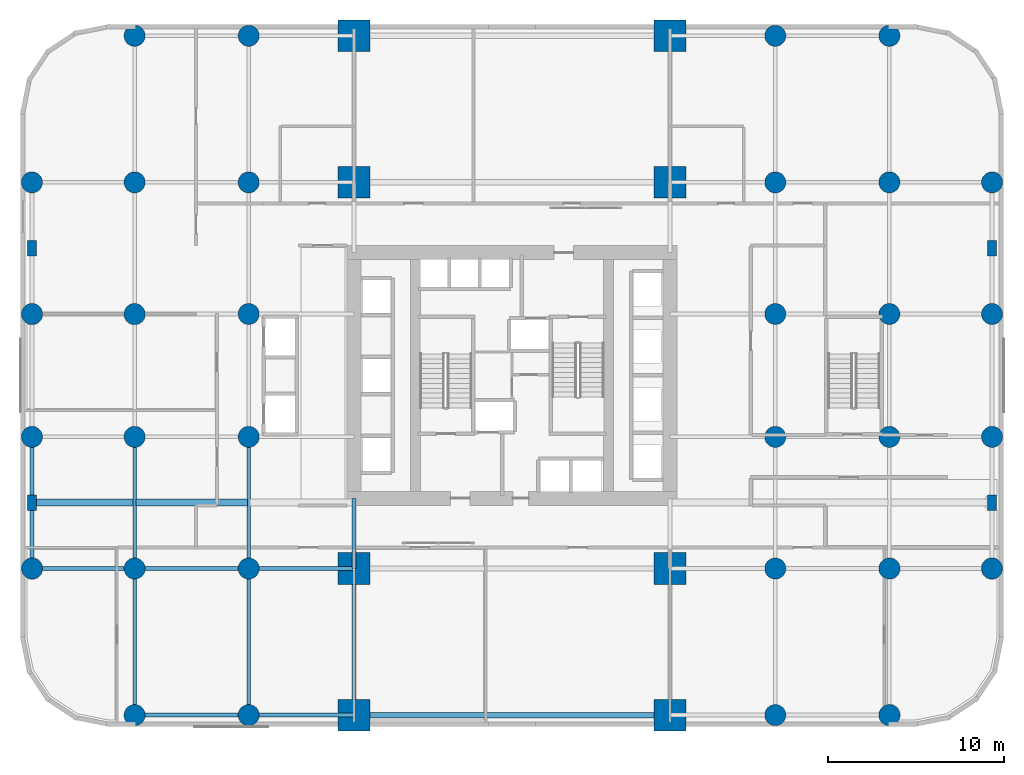
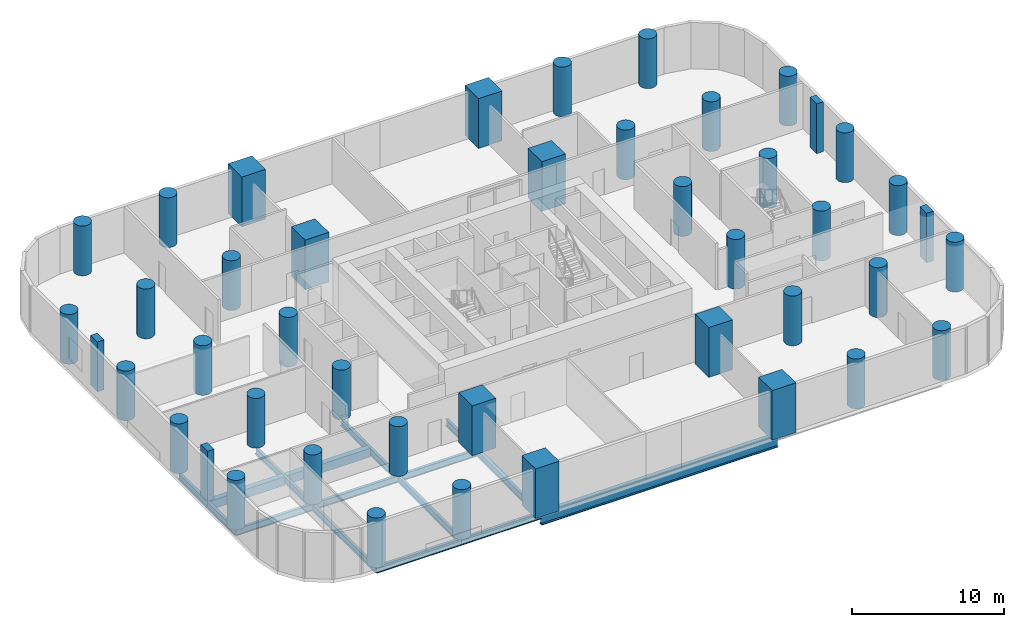
# One storey, part 1 of 12: 44 columns, 16 beams.
"""IFC4 building model written with IfcOpenShell, lengths in metres."""

from ifc_helpers import new_model, si_unit, direction, frame, origin, origin_2d, place, context, subcontext, project, spatial, rectangle, circle, i_section, extrude, material, material_profile, profile_set, type_object, element, save


model = new_model("IFC4")

# Units and contexts
model_context = context("Model", 3, precision=1e-05, world=origin(), true_north=direction((0.0, 1.0)))
body_context = subcontext(model_context, "Body", "Model", "MODEL_VIEW")
ifc_project = project(units=[si_unit("LENGTHUNIT", "METRE"), si_unit("AREAUNIT", "SQUARE_METRE"), si_unit("VOLUMEUNIT", "CUBIC_METRE"), si_unit("PLANEANGLEUNIT", "RADIAN"), si_unit("MASSUNIT", "GRAM", prefix="KILO")], contexts=[model_context])

# Site, building, storey
site_placement = place(None, origin())
site = spatial("IfcSite", under=ifc_project, at=site_placement, CompositionType="ELEMENT")
building_placement = place(site_placement, origin())
building = spatial("IfcBuilding", under=site, at=building_placement, Name="Veldorim Arch Residences", CompositionType="ELEMENT")
storey_placement = place(building_placement, frame((0.0, 0.0, 12.0)))
storey = spatial("IfcBuildingStorey", under=building, at=storey_placement, Name="L03", CompositionType="ELEMENT", Elevation=12.0)

# Columns
ifc_material_1 = material(Name="Concrete C60/75", Category="concrete")
ifc_material_profile_1 = material_profile(ifc_material_1, circle(Radius=0.60009765625, at=origin_2d()), Name="RC_CIRC_1200")
ifc_profile_set_1 = profile_set([ifc_material_profile_1], Name="Concrete C60/75")
column_type_1 = type_object("IfcColumnType", Name="Structural Column RC_CIRC_1200", PredefinedType="COLUMN", material=ifc_profile_set_1)
for number, where, z_axis, x_axis, name in (
    (1, (4.64990234375, 13.0, 0.0), (0.0, 0.0, 1.0), (1.0, 0.0, 0.0), "L03 podium column (4.65, 13.00)"),
    (2, (4.64990234375, 20.5, 0.0), (0.0, 0.0, 1.0), (1.0, 0.0, 0.0), "L03 podium column (4.65, 20.50)"),
    (3, (4.64990234375, 27.5, 0.0), (0.0, 0.0, 1.0), (1.0, 0.0, 0.0), "L03 podium column (4.65, 27.50)"),
    (4, (4.64990234375, 35.0, 0.0), (0.0, 0.0, 1.0), (1.0, 0.0, 0.0), "L03 podium column (4.65, 35.00)"),
    (5, (10.5, 4.64990234375, 0.0), (0.0, 0.0, 1.0), (1.0, 0.0, 0.0), "L03 podium column (10.50, 4.65)"),
    (6, (10.5, 13.0, 0.0), (0.0, 0.0, 1.0), (1.0, 0.0, 0.0), "L03 podium column (10.50, 13.00)"),
    (7, (10.5, 20.5, 0.0), (0.0, 0.0, 1.0), (1.0, 0.0, 0.0), "L03 podium column (10.50, 20.50)"),
    (8, (10.5, 27.5, 0.0), (0.0, 0.0, 1.0), (1.0, 0.0, 0.0), "L03 podium column (10.50, 27.50)"),
    (9, (10.5, 35.0, 0.0), (0.0, 0.0, 1.0), (1.0, 0.0, 0.0), "L03 podium column (10.50, 35.00)"),
    (10, (10.5, 43.35009765625, 0.0), (0.0, 0.0, 1.0), (1.0, 0.0, 0.0), "L03 podium column (10.50, 43.35)"),
    (11, (17.0, 4.64990234375, 0.0), (0.0, 0.0, 1.0), (1.0, 0.0, 0.0), "L03 podium column (17.00, 4.65)"),
    (12, (17.0, 13.0, 0.0), (0.0, 0.0, 1.0), (1.0, 0.0, 0.0), "L03 podium column (17.00, 13.00)"),
    (13, (17.0, 20.5, 0.0), (0.0, 0.0, 1.0), (1.0, 0.0, 0.0), "L03 podium column (17.00, 20.50)"),
    (14, (17.0, 27.5, 0.0), (0.0, 0.0, 1.0), (1.0, 0.0, 0.0), "L03 podium column (17.00, 27.50)"),
    (15, (17.0, 35.0, 0.0), (0.0, 0.0, 1.0), (1.0, 0.0, 0.0), "L03 podium column (17.00, 35.00)"),
    (16, (17.0, 43.35009765625, 0.0), (0.0, 0.0, 1.0), (1.0, 0.0, 0.0), "L03 podium column (17.00, 43.35)"),
    (17, (47.0, 4.64990234375, 0.0), (0.0, 0.0, 1.0), (1.0, 0.0, 0.0), "L03 podium column (47.00, 4.65)"),
    (18, (47.0, 13.0, 0.0), (0.0, 0.0, 1.0), (1.0, 0.0, 0.0), "L03 podium column (47.00, 13.00)"),
    (19, (47.0, 20.5, 0.0), (0.0, 0.0, 1.0), (1.0, 0.0, 0.0), "L03 podium column (47.00, 20.50)"),
    (20, (47.0, 27.5, 0.0), (0.0, 0.0, 1.0), (1.0, 0.0, 0.0), "L03 podium column (47.00, 27.50)"),
    (21, (47.0, 35.0, 0.0), (0.0, 0.0, 1.0), (1.0, 0.0, 0.0), "L03 podium column (47.00, 35.00)"),
    (22, (47.0, 43.35009765625, 0.0), (0.0, 0.0, 1.0), (1.0, 0.0, 0.0), "L03 podium column (47.00, 43.35)"),
    (23, (53.5, 4.64990234375, 0.0), (0.0, 0.0, 1.0), (1.0, 0.0, 0.0), "L03 podium column (53.50, 4.65)"),
    (24, (53.5, 13.0, 0.0), (0.0, 0.0, 1.0), (1.0, 0.0, 0.0), "L03 podium column (53.50, 13.00)"),
    (25, (53.5, 20.5, 0.0), (0.0, 0.0, 1.0), (1.0, 0.0, 0.0), "L03 podium column (53.50, 20.50)"),
    (26, (53.5, 27.5, 0.0), (0.0, 0.0, 1.0), (1.0, 0.0, 0.0), "L03 podium column (53.50, 27.50)"),
    (27, (53.5, 35.0, 0.0), (0.0, 0.0, 1.0), (1.0, 0.0, 0.0), "L03 podium column (53.50, 35.00)"),
    (28, (53.5, 43.35009765625, 0.0), (0.0, 0.0, 1.0), (1.0, 0.0, 0.0), "L03 podium column (53.50, 43.35)"),
    (29, (59.35009765625, 13.0, 0.0), (0.0, 0.0, 1.0), (1.0, 0.0, 0.0), "L03 podium column (59.35, 13.00)"),
    (30, (59.35009765625, 20.5, 0.0), (0.0, 0.0, 1.0), (1.0, 0.0, 0.0), "L03 podium column (59.35, 20.50)"),
    (31, (59.35009765625, 27.5, 0.0), (0.0, 0.0, 1.0), (1.0, 0.0, 0.0), "L03 podium column (59.35, 27.50)"),
    (32, (59.35009765625, 35.0, 0.0), (0.0, 0.0, 1.0), (1.0, 0.0, 0.0), "L03 podium column (59.35, 35.00)"),
):
    element("IfcColumn", number, at=place(storey_placement, frame(where, z_axis=z_axis, x_axis=x_axis)), inside=storey, type_object=column_type_1, Name=name, PredefinedType="COLUMN", context=body_context, shape_type="SweptSolid", body=[
        extrude(circle(Radius=0.60009765625, at=origin_2d()), origin(), (0.0, 0.0, 1.0), 4.0),
    ])
ifc_material_2 = material(Name="Concrete C60/75", Category="concrete")
ifc_material_profile_2 = material_profile(ifc_material_2, rectangle(XDim=1.800048828125, YDim=1.800048828125, at=origin_2d()), Name="RC_RECT_1800x1800")
ifc_profile_set_2 = profile_set([ifc_material_profile_2], Name="Concrete C60/75")
column_type_2 = type_object("IfcColumnType", Name="Structural Column RC_RECT_1800x1800", PredefinedType="COLUMN", material=ifc_profile_set_2)
for number, where, z_axis, x_axis, name in (
    (33, (23.0, 4.64990234375, 0.0), (0.0, 0.0, 1.0), (1.0, 0.0, 0.0), "L03 arch mega-pier (23.00, 4.65)"),
    (34, (23.0, 13.0, 0.0), (0.0, 0.0, 1.0), (1.0, 0.0, 0.0), "L03 arch mega-pier (23.00, 13.00)"),
    (35, (23.0, 35.0, 0.0), (0.0, 0.0, 1.0), (1.0, 0.0, 0.0), "L03 arch mega-pier (23.00, 35.00)"),
    (36, (23.0, 43.35009765625, 0.0), (0.0, 0.0, 1.0), (1.0, 0.0, 0.0), "L03 arch mega-pier (23.00, 43.35)"),
    (37, (41.0, 4.64990234375, 0.0), (0.0, 0.0, 1.0), (1.0, 0.0, 0.0), "L03 arch mega-pier (41.00, 4.65)"),
    (38, (41.0, 13.0, 0.0), (0.0, 0.0, 1.0), (1.0, 0.0, 0.0), "L03 arch mega-pier (41.00, 13.00)"),
    (39, (41.0, 35.0, 0.0), (0.0, 0.0, 1.0), (1.0, 0.0, 0.0), "L03 arch mega-pier (41.00, 35.00)"),
    (40, (41.0, 43.35009765625, 0.0), (0.0, 0.0, 1.0), (1.0, 0.0, 0.0), "L03 arch mega-pier (41.00, 43.35)"),
):
    element("IfcColumn", number, at=place(storey_placement, frame(where, z_axis=z_axis, x_axis=x_axis)), inside=storey, type_object=column_type_2, Name=name, PredefinedType="COLUMN", context=body_context, shape_type="SweptSolid", body=[
        extrude(rectangle(XDim=1.800048828125, YDim=1.800048828125, at=origin_2d()), origin(), (0.0, 0.0, 1.0), 4.0),
    ])
ifc_material_3 = material(Name="Concrete C60/75", Category="concrete")
ifc_material_profile_3 = material_profile(ifc_material_3, rectangle(XDim=0.5, YDim=0.89990234375, at=origin_2d()), Name="RC_RECT_500x900")
ifc_profile_set_3 = profile_set([ifc_material_profile_3], Name="Concrete C60/75")
column_type_3 = type_object("IfcColumnType", Name="Structural Pilaster RC_RECT_500x900", PredefinedType="PILASTER", material=ifc_profile_set_3)
for number, where, z_axis, x_axis, name in (
    (41, (4.64990234375, 16.75, 0.0), (0.0, 0.0, 1.0), (1.0, 0.0, 0.0), "L03 facade structural pilaster (4.65, 16.75)"),
    (42, (4.64990234375, 31.25, 0.0), (0.0, 0.0, 1.0), (1.0, 0.0, 0.0), "L03 facade structural pilaster (4.65, 31.25)"),
    (43, (59.35009765625, 16.75, 0.0), (0.0, 0.0, 1.0), (1.0, 0.0, 0.0), "L03 facade structural pilaster (59.35, 16.75)"),
    (44, (59.35009765625, 31.25, 0.0), (0.0, 0.0, 1.0), (1.0, 0.0, 0.0), "L03 facade structural pilaster (59.35, 31.25)"),
):
    element("IfcColumn", number, at=place(storey_placement, frame(where, z_axis=z_axis, x_axis=x_axis)), inside=storey, type_object=column_type_3, Name=name, PredefinedType="PILASTER", context=body_context, shape_type="SweptSolid", body=[
        extrude(rectangle(XDim=0.5, YDim=0.89990234375, at=origin_2d()), origin(), (0.0, 0.0, 1.0), 4.0),
    ])

# Beams
ifc_material_4 = material(Name="Concrete C50/60", Category="concrete")
ifc_material_profile_4 = material_profile(ifc_material_4, rectangle(XDim=0.39990234375, YDim=0.699951171875, at=origin_2d()), Name="RC_RECT_400x700")
ifc_profile_set_4 = profile_set([ifc_material_profile_4], Name="Concrete C50/60")
beam_type_1 = type_object("IfcBeamType", Name="Reinforced Concrete Lintel RC_RECT_400x700", PredefinedType="LINTEL", material=ifc_profile_set_4)
beam_1_placement = place(storey_placement, frame((4.72998046875, 16.75, -0.6298828125), z_axis=(1.0, 0.0, 0.0), x_axis=(0.0, 1.0, 0.0)))
element("IfcBeam", 45, at=beam_1_placement, inside=storey, type_object=beam_type_1, Name="L03 clinic opening structural lintel 01", PredefinedType="LINTEL", context=body_context, shape_type="SweptSolid", body=[
    extrude(rectangle(XDim=0.39990234375, YDim=0.699951171875, at=origin_2d()), origin(), (0.0, 0.0, 1.0), 5.68994140625),
])
beam_2_placement = place(storey_placement, frame((10.580078125, 16.75, -0.6298828125), z_axis=(1.0, 0.0, 0.0), x_axis=(0.0, 1.0, 0.0)))
element("IfcBeam", 46, at=beam_2_placement, inside=storey, type_object=beam_type_1, Name="L03 clinic opening structural lintel 02", PredefinedType="LINTEL", context=body_context, shape_type="SweptSolid", body=[
    extrude(rectangle(XDim=0.39990234375, YDim=0.699951171875, at=origin_2d()), origin(), (0.0, 0.0, 1.0), 6.33984375),
])
ifc_material_5 = material(Name="Steel S355", Category="steel")
ifc_material_profile_5 = material_profile(ifc_material_5, i_section(OverallWidth=0.2099609375, OverallDepth=0.53662109375, WebThickness=0.0107421875, FlangeThickness=0.017333984375, at=origin_2d()), Name="UB533x210x101")
ifc_profile_set_5 = profile_set([ifc_material_profile_5], Name="Steel S355")
beam_type_2 = type_object("IfcBeamType", Name="Structural Steel Beam UB533x210x101", PredefinedType="BEAM", material=ifc_profile_set_5)
for number, where, z_axis, x_axis, name in (
    (47, (4.64990234375, 13.0, -0.54833984375), (0.0, 1.0, 0.0), (-1.0, 0.0, 0.0), "L03 north-south floor beam (X=4.7, 13.0-16.8)"),
    (48, (4.64990234375, 16.75, -0.54833984375), (0.0, 1.0, 0.0), (-1.0, 0.0, 0.0), "L03 north-south floor beam (X=4.7, 16.8-20.5)"),
):
    element("IfcBeam", number, at=place(storey_placement, frame(where, z_axis=z_axis, x_axis=x_axis)), inside=storey, type_object=beam_type_2, Name=name, PredefinedType="BEAM", context=body_context, shape_type="SweptSolid", body=[
        extrude(i_section(OverallWidth=0.2099609375, OverallDepth=0.53662109375, WebThickness=0.0107421875, FlangeThickness=0.017333984375, at=origin_2d()), origin(), (0.0, 0.0, 1.0), 3.75),
    ])
beam_3_placement = place(storey_placement, frame((10.5, 4.64990234375, -0.54833984375), z_axis=(0.0, 1.0, 0.0), x_axis=(-1.0, 0.0, 0.0)))
element("IfcBeam", 49, at=beam_3_placement, inside=storey, type_object=beam_type_2, Name="L03 north-south floor beam (X=10.5, 4.7-13.0)", PredefinedType="BEAM", context=body_context, shape_type="SweptSolid", body=[
    extrude(i_section(OverallWidth=0.2099609375, OverallDepth=0.53662109375, WebThickness=0.0107421875, FlangeThickness=0.017333984375, at=origin_2d()), origin(), (0.0, 0.0, 1.0), 8.35009765625),
])
beam_4_placement = place(storey_placement, frame((10.5, 13.0, -0.54833984375), z_axis=(0.0, 1.0, 0.0), x_axis=(-1.0, 0.0, 0.0)))
element("IfcBeam", 50, at=beam_4_placement, inside=storey, type_object=beam_type_2, Name="L03 north-south floor beam (X=10.5, 13.0-20.5)", PredefinedType="BEAM", context=body_context, shape_type="SweptSolid", body=[
    extrude(i_section(OverallWidth=0.2099609375, OverallDepth=0.53662109375, WebThickness=0.0107421875, FlangeThickness=0.017333984375, at=origin_2d()), origin(), (0.0, 0.0, 1.0), 7.5),
])
beam_5_placement = place(storey_placement, frame((17.0, 4.64990234375, -0.54833984375), z_axis=(0.0, 1.0, 0.0), x_axis=(-1.0, 0.0, 0.0)))
element("IfcBeam", 51, at=beam_5_placement, inside=storey, type_object=beam_type_2, Name="L03 north-south floor beam (X=17.0, 4.7-13.0)", PredefinedType="BEAM", context=body_context, shape_type="SweptSolid", body=[
    extrude(i_section(OverallWidth=0.2099609375, OverallDepth=0.53662109375, WebThickness=0.0107421875, FlangeThickness=0.017333984375, at=origin_2d()), origin(), (0.0, 0.0, 1.0), 8.35009765625),
])
beam_6_placement = place(storey_placement, frame((17.0, 13.0, -0.54833984375), z_axis=(0.0, 1.0, 0.0), x_axis=(-1.0, 0.0, 0.0)))
element("IfcBeam", 52, at=beam_6_placement, inside=storey, type_object=beam_type_2, Name="L03 north-south floor beam (X=17.0, 13.0-20.5)", PredefinedType="BEAM", context=body_context, shape_type="SweptSolid", body=[
    extrude(i_section(OverallWidth=0.2099609375, OverallDepth=0.53662109375, WebThickness=0.0107421875, FlangeThickness=0.017333984375, at=origin_2d()), origin(), (0.0, 0.0, 1.0), 7.5),
])
beam_7_placement = place(storey_placement, frame((23.0, 4.64990234375, -0.54833984375), z_axis=(0.0, 1.0, 0.0), x_axis=(-1.0, 0.0, 0.0)))
element("IfcBeam", 53, at=beam_7_placement, inside=storey, type_object=beam_type_2, Name="L03 north-south floor beam (X=23.0, 4.7-13.0)", PredefinedType="BEAM", context=body_context, shape_type="SweptSolid", body=[
    extrude(i_section(OverallWidth=0.2099609375, OverallDepth=0.53662109375, WebThickness=0.0107421875, FlangeThickness=0.017333984375, at=origin_2d()), origin(), (0.0, 0.0, 1.0), 8.35009765625),
])
beam_8_placement = place(storey_placement, frame((23.0, 13.0, -0.54833984375), z_axis=(0.0, 1.0, 0.0), x_axis=(-1.0, 0.0, 0.0)))
element("IfcBeam", 54, at=beam_8_placement, inside=storey, type_object=beam_type_2, Name="L03 north-south floor beam (X=23.0, 13.0-17.0)", PredefinedType="BEAM", context=body_context, shape_type="SweptSolid", body=[
    extrude(i_section(OverallWidth=0.2099609375, OverallDepth=0.53662109375, WebThickness=0.0107421875, FlangeThickness=0.017333984375, at=origin_2d()), origin(), (0.0, 0.0, 1.0), 4.0),
])
ifc_material_6 = material(Name="Steel S355", Category="steel")
ifc_material_profile_6 = material_profile(ifc_material_6, i_section(OverallWidth=0.2119140625, OverallDepth=0.54443359375, WebThickness=0.0126953125, FlangeThickness=0.021240234375, at=origin_2d()), Name="UB533x210x122")
ifc_profile_set_6 = profile_set([ifc_material_profile_6], Name="Steel S355")
beam_type_3 = type_object("IfcBeamType", Name="Structural Steel Beam UB533x210x122", PredefinedType="BEAM", material=ifc_profile_set_6)
beam_9_placement = place(storey_placement, frame((10.5, 4.64990234375, -0.55224609375), z_axis=(1.0, 0.0, 0.0), x_axis=(0.0, 1.0, 0.0)))
element("IfcBeam", 55, at=beam_9_placement, inside=storey, type_object=beam_type_3, Name="L03 east-west floor beam (10.5-17.0, Y=4.7)", PredefinedType="BEAM", context=body_context, shape_type="SweptSolid", body=[
    extrude(i_section(OverallWidth=0.2119140625, OverallDepth=0.54443359375, WebThickness=0.0126953125, FlangeThickness=0.021240234375, at=origin_2d()), origin(), (0.0, 0.0, 1.0), 6.5),
])
beam_10_placement = place(storey_placement, frame((17.0, 4.64990234375, -0.55224609375), z_axis=(1.0, 0.0, 0.0), x_axis=(0.0, 1.0, 0.0)))
element("IfcBeam", 56, at=beam_10_placement, inside=storey, type_object=beam_type_3, Name="L03 east-west floor beam (17.0-23.0, Y=4.7)", PredefinedType="BEAM", context=body_context, shape_type="SweptSolid", body=[
    extrude(i_section(OverallWidth=0.2119140625, OverallDepth=0.54443359375, WebThickness=0.0126953125, FlangeThickness=0.021240234375, at=origin_2d()), origin(), (0.0, 0.0, 1.0), 6.0),
])
beam_11_placement = place(storey_placement, frame((4.64990234375, 13.0, -0.55224609375), z_axis=(1.0, 0.0, 0.0), x_axis=(0.0, 1.0, 0.0)))
element("IfcBeam", 57, at=beam_11_placement, inside=storey, type_object=beam_type_3, Name="L03 east-west floor beam (4.7-10.5, Y=13.0)", PredefinedType="BEAM", context=body_context, shape_type="SweptSolid", body=[
    extrude(i_section(OverallWidth=0.2119140625, OverallDepth=0.54443359375, WebThickness=0.0126953125, FlangeThickness=0.021240234375, at=origin_2d()), origin(), (0.0, 0.0, 1.0), 5.85009765625),
])
beam_12_placement = place(storey_placement, frame((10.5, 13.0, -0.55224609375), z_axis=(1.0, 0.0, 0.0), x_axis=(0.0, 1.0, 0.0)))
element("IfcBeam", 58, at=beam_12_placement, inside=storey, type_object=beam_type_3, Name="L03 east-west floor beam (10.5-17.0, Y=13.0)", PredefinedType="BEAM", context=body_context, shape_type="SweptSolid", body=[
    extrude(i_section(OverallWidth=0.2119140625, OverallDepth=0.54443359375, WebThickness=0.0126953125, FlangeThickness=0.021240234375, at=origin_2d()), origin(), (0.0, 0.0, 1.0), 6.5),
])
beam_13_placement = place(storey_placement, frame((17.0, 13.0, -0.55224609375), z_axis=(1.0, 0.0, 0.0), x_axis=(0.0, 1.0, 0.0)))
element("IfcBeam", 59, at=beam_13_placement, inside=storey, type_object=beam_type_3, Name="L03 east-west floor beam (17.0-23.0, Y=13.0)", PredefinedType="BEAM", context=body_context, shape_type="SweptSolid", body=[
    extrude(i_section(OverallWidth=0.2119140625, OverallDepth=0.54443359375, WebThickness=0.0126953125, FlangeThickness=0.021240234375, at=origin_2d()), origin(), (0.0, 0.0, 1.0), 6.0),
])
ifc_material_7 = material(Name="Steel S460", Category="steel")
ifc_material_profile_7 = material_profile(ifc_material_7, i_section(OverallWidth=0.305419921875, OverallDepth=1.02587890625, WebThickness=0.02685546875, FlangeThickness=0.053955078125, at=origin_2d()), Name="UB1016x305x437")
ifc_profile_set_7 = profile_set([ifc_material_profile_7], Name="Steel S460")
beam_type_4 = type_object("IfcBeamType", Name="Structural Steel GIRDER UB1016x305x437", PredefinedType="USERDEFINED", material=ifc_profile_set_7)
beam_14_placement = place(storey_placement, frame((23.0, 4.64990234375, -0.79296875), z_axis=(1.0, 0.0, 0.0), x_axis=(0.0, 1.0, 0.0)))
element("IfcBeam", 60, at=beam_14_placement, inside=storey, type_object=beam_type_4, Name="L03 east-west floor beam (23.0-41.0, Y=4.7)", ObjectType="GIRDER", PredefinedType="USERDEFINED", context=body_context, shape_type="SweptSolid", body=[
    extrude(i_section(OverallWidth=0.305419921875, OverallDepth=1.02587890625, WebThickness=0.02685546875, FlangeThickness=0.053955078125, at=origin_2d()), origin(), (0.0, 0.0, 1.0), 18.0),
])

save(model, "model.ifc")
